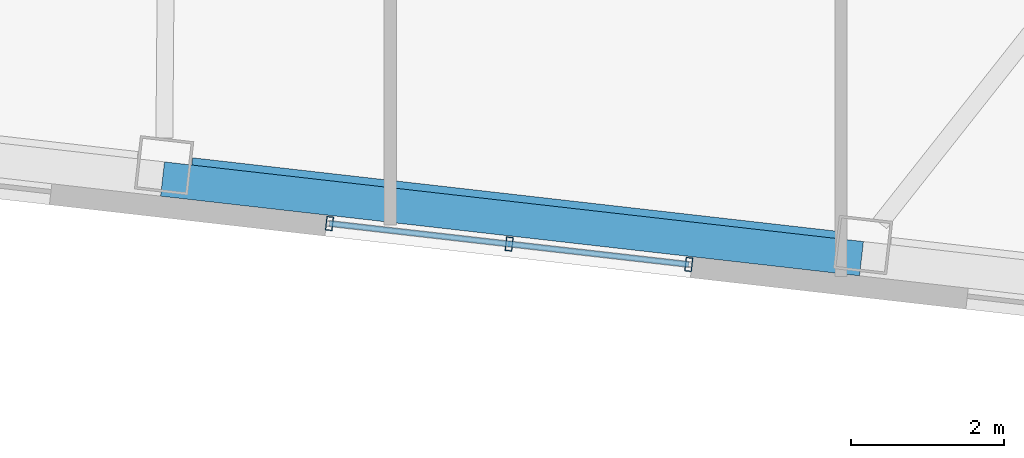
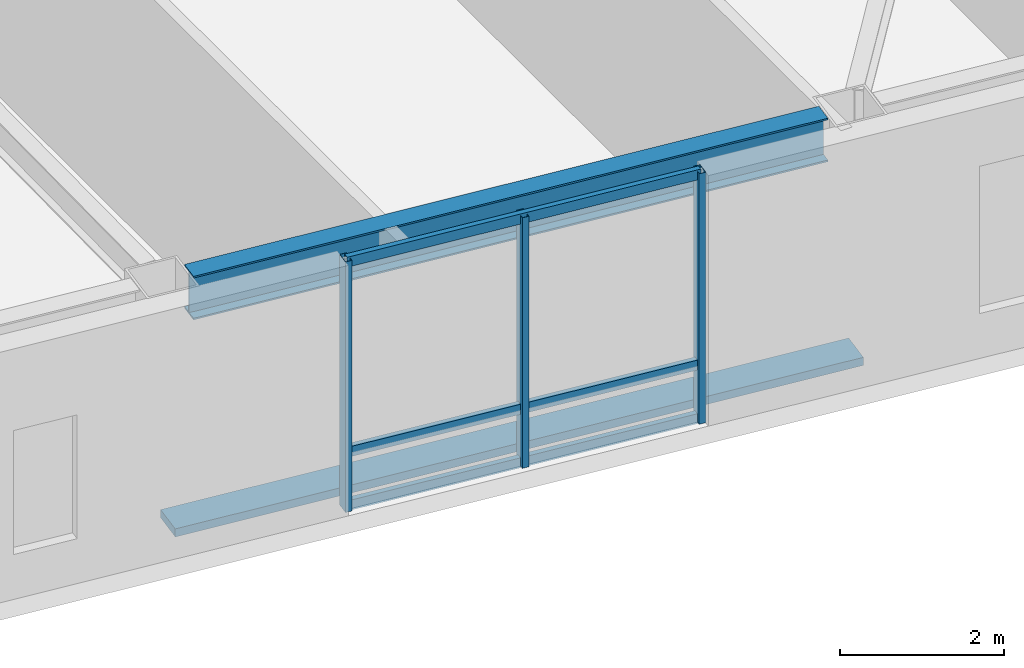
# One storey, part 4 of 21: 7 members, 1 beam, 1 element without a shape of its own.
"""IFC4 building model written with IfcOpenShell, lengths in metres."""

from ifc_helpers import new_model, si_unit, direction, frame, origin, origin_2d, place, context, subcontext, project, spatial, rectangle, hollow_rectangle, i_section, extrude, material, layer, layer_set, material_profile, profile_set, type_object, element, aggregate, save


model = new_model("IFC4")

# Units and contexts
model_context = context("Model", 3, precision=1e-05, world=origin(), true_north=direction((0.0, 1.0)))
body_context = subcontext(model_context, "Body", "Model", "MODEL_VIEW")
ifc_project = project(units=[si_unit("LENGTHUNIT", "METRE"), si_unit("AREAUNIT", "SQUARE_METRE"), si_unit("VOLUMEUNIT", "CUBIC_METRE"), si_unit("PLANEANGLEUNIT", "RADIAN"), si_unit("MASSUNIT", "GRAM", prefix="KILO")], contexts=[model_context])

# Site, building, storey
site_placement = place(None, origin())
site = spatial("IfcSite", under=ifc_project, at=site_placement, CompositionType="ELEMENT")
building_placement = place(site_placement, origin())
building = spatial("IfcBuilding", under=site, at=building_placement, Name="Tavrogorsk Clinical Tower", CompositionType="ELEMENT")
storey_placement = place(building_placement, frame((0.0, 0.0, 133.39990234375)))
storey = spatial("IfcBuildingStorey", under=building, at=storey_placement, Name="L30", CompositionType="ELEMENT", Elevation=133.39990234375)

# Member
ifc_material_1 = material(Name="Anodised aluminium alloy AW-6063", Category="aluminium")
ifc_material_profile_1 = material_profile(ifc_material_1, rectangle(XDim=0.449951171875, YDim=0.1201171875, at=origin_2d()), Name="ALU-SUNSHADE-450x120")
ifc_profile_set_1 = profile_set([ifc_material_profile_1], Name="Anodised aluminium alloy AW-6063")
member_type_1 = type_object("IfcMemberType", Name="ChicagoSunshade_450x120", PredefinedType="USERDEFINED", material=ifc_profile_set_1)
member_1_placement = place(storey_placement, frame((4.208251953125, -26.463134765625, 0.18017578125), z_axis=(0.993569662511, -0.113222461274, 0.0), x_axis=(0.113222461274, 0.993569662511, 0.0)))
element("IfcMember", 1, at=member_1_placement, inside=storey, type_object=member_type_1, Name="L30 South Aluminium Sunshade S5", ObjectType="SUNSHADE", PredefinedType="USERDEFINED", context=body_context, shape_type="SweptSolid", body=[
    extrude(rectangle(XDim=0.449951171875, YDim=0.1201171875, at=origin_2d()), origin(), (0.0, 0.0, 1.0), 9.17724609375),
])

# Curtain wall, members
ifc_material_2 = material(Name="Anodised aluminium and triple IGU glazing", Category="aluminium")
ifc_layer = layer(ifc_material_2, 0.179931640625)
ifc_layer_set = layer_set([ifc_layer], Name="Anodised aluminium and triple IGU glazing")
curtain_wall_type = type_object("IfcCurtainWallType", Name="CW3_SouthSlot", PredefinedType="NOTDEFINED", material=ifc_layer_set)
curtain_wall_placement = place(storey_placement, origin())
curtain_wall = element("IfcCurtainWall", 2, at=curtain_wall_placement, inside=storey, type_object=curtain_wall_type, Name="L30 Curtain Wall CW-L30-S-SLOT-2", PredefinedType="NOTDEFINED")
ifc_material_3 = material(Name="Anodised aluminium alloy AW-6060", Category="aluminium")
ifc_material_profile_2 = material_profile(ifc_material_3, hollow_rectangle(XDim=0.090087890625, YDim=0.179931640625, WallThickness=0.00634765625, at=origin_2d()), Name="RHS-180x90x6.3")
ifc_profile_set_2 = profile_set([ifc_material_profile_2], Name="Anodised aluminium alloy AW-6060")
member_type_2 = type_object("IfcMemberType", Name="CwMullion_180x90", PredefinedType="MULLION", material=ifc_profile_set_2)
member_2_placement = place(storey_placement, frame((6.38623046875, -27.04345703125, 0.0), z_axis=(0.0, 0.0, 1.0), x_axis=(0.993571858269, -0.113203191016, 0.0)))
member_2 = element("IfcMember", 3, at=member_2_placement, type_object=member_type_2, Name="CW-L30-S-SLOT-2 Mullion 1", PredefinedType="MULLION", context=body_context, shape_type="SweptSolid", body=[
    extrude(hollow_rectangle(XDim=0.090087890625, YDim=0.179931640625, WallThickness=0.00634765625, at=origin_2d()), origin(), (0.0, 0.0, 1.0), 3.739990234375),
])
member_3_placement = place(storey_placement, frame((8.72998046875, -27.310546875, 0.0), z_axis=(0.0, 0.0, 1.0), x_axis=(0.993571858269, -0.113203191016, 0.0)))
member_3 = element("IfcMember", 4, at=member_3_placement, type_object=member_type_2, Name="CW-L30-S-SLOT-2 Mullion 2", PredefinedType="MULLION", context=body_context, shape_type="SweptSolid", body=[
    extrude(hollow_rectangle(XDim=0.090087890625, YDim=0.179931640625, WallThickness=0.00634765625, at=origin_2d()), origin(), (0.0, 0.0, 1.0), 3.739990234375),
])
member_4_placement = place(storey_placement, frame((11.07373046875, -27.57763671875, 0.0), z_axis=(0.0, 0.0, 1.0), x_axis=(0.993571858269, -0.113203191016, 0.0)))
member_4 = element("IfcMember", 5, at=member_4_placement, type_object=member_type_2, Name="CW-L30-S-SLOT-2 Mullion 3", PredefinedType="MULLION", context=body_context, shape_type="SweptSolid", body=[
    extrude(hollow_rectangle(XDim=0.090087890625, YDim=0.179931640625, WallThickness=0.00634765625, at=origin_2d()), origin(), (0.0, 0.0, 1.0), 3.739990234375),
])
ifc_material_4 = material(Name="Anodised aluminium alloy AW-6060", Category="aluminium")
ifc_material_profile_3 = material_profile(ifc_material_4, hollow_rectangle(XDim=0.074951171875, YDim=0.14990234375, WallThickness=0.0048828125, at=origin_2d()), Name="RHS-150x75x5")
ifc_profile_set_3 = profile_set([ifc_material_profile_3], Name="Anodised aluminium alloy AW-6060")
member_type_3 = type_object("IfcMemberType", Name="CwTransom_150x75", PredefinedType="USERDEFINED", material=ifc_profile_set_3)
member_5_placement = place(storey_placement, frame((6.38623046875, -27.04345703125, 0.050048828125), z_axis=(0.993569315854, -0.113225503286, 0.0), x_axis=(0.113225503286, 0.993569315854, 0.0)))
member_5 = element("IfcMember", 6, at=member_5_placement, type_object=member_type_3, Name="CW-L30-S-SLOT-2 Transom 1", ObjectType="TRANSOM", PredefinedType="USERDEFINED", context=body_context, shape_type="SweptSolid", body=[
    extrude(hollow_rectangle(XDim=0.074951171875, YDim=0.14990234375, WallThickness=0.0048828125, at=origin_2d()), origin(), (0.0, 0.0, 1.0), 4.7177734375),
])
member_6_placement = place(storey_placement, frame((6.38623046875, -27.04345703125, 0.85009765625), z_axis=(0.993569315854, -0.113225503286, 0.0), x_axis=(0.113225503286, 0.993569315854, 0.0)))
member_6 = element("IfcMember", 7, at=member_6_placement, type_object=member_type_3, Name="CW-L30-S-SLOT-2 Transom 2", ObjectType="TRANSOM", PredefinedType="USERDEFINED", context=body_context, shape_type="SweptSolid", body=[
    extrude(hollow_rectangle(XDim=0.074951171875, YDim=0.14990234375, WallThickness=0.0048828125, at=origin_2d()), origin(), (0.0, 0.0, 1.0), 4.7177734375),
])
member_7_placement = place(storey_placement, frame((6.38623046875, -27.04345703125, 3.690185546875), z_axis=(0.993569315854, -0.113225503286, 0.0), x_axis=(0.113225503286, 0.993569315854, 0.0)))
member_7 = element("IfcMember", 8, at=member_7_placement, type_object=member_type_3, Name="CW-L30-S-SLOT-2 Transom 3", ObjectType="TRANSOM", PredefinedType="USERDEFINED", context=body_context, shape_type="SweptSolid", body=[
    extrude(hollow_rectangle(XDim=0.074951171875, YDim=0.14990234375, WallThickness=0.0048828125, at=origin_2d()), origin(), (0.0, 0.0, 1.0), 4.7177734375),
])
aggregate(curtain_wall, [member_2, member_3, member_4, member_5, member_6, member_7])

# Beam
ifc_material_5 = material(Name="Structural steel S390", Category="steel")
ifc_material_profile_4 = material_profile(ifc_material_5, i_section(OverallWidth=0.280029296875, OverallDepth=0.64990234375, WebThickness=0.01611328125, FlangeThickness=0.02490234375, at=origin_2d()), Name="B-650x280x16x25")
ifc_profile_set_4 = profile_set([ifc_material_profile_4], Name="Structural steel S390")
beam_type = type_object("IfcBeamType", Name="SpandrelBeam_B650", PredefinedType="SPANDREL", material=ifc_profile_set_4)
beam_placement = place(storey_placement, frame((4.584228515625, -26.324951171875, 3.4150390625), z_axis=(0.99357306506, -0.113192598642, 0.0), x_axis=(0.113192598642, 0.99357306506, 0.0)))
element("IfcBeam", 9, at=beam_placement, inside=storey, type_object=beam_type, Name="L30 Perimeter Spandrel S5-S6", PredefinedType="SPANDREL", context=body_context, shape_type="SweptSolid", body=[
    extrude(i_section(OverallWidth=0.280029296875, OverallDepth=0.64990234375, WebThickness=0.01611328125, FlangeThickness=0.02490234375, at=origin_2d()), origin(), (0.0, 0.0, 1.0), 8.46142578125),
])

save(model, "model.ifc")
